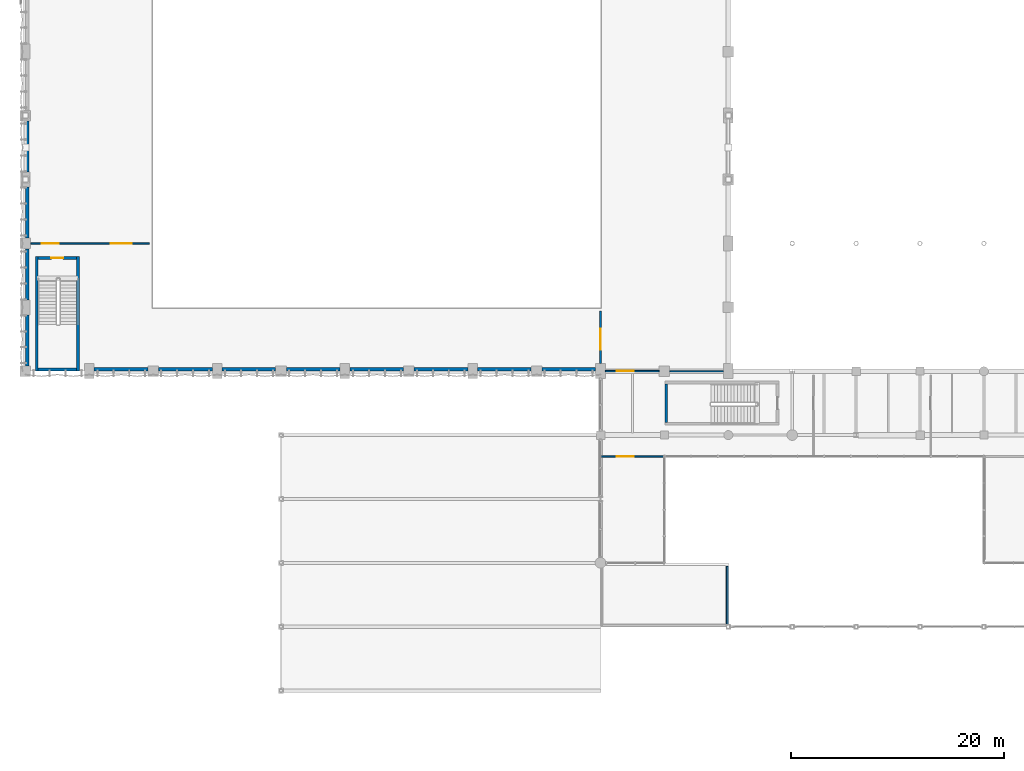
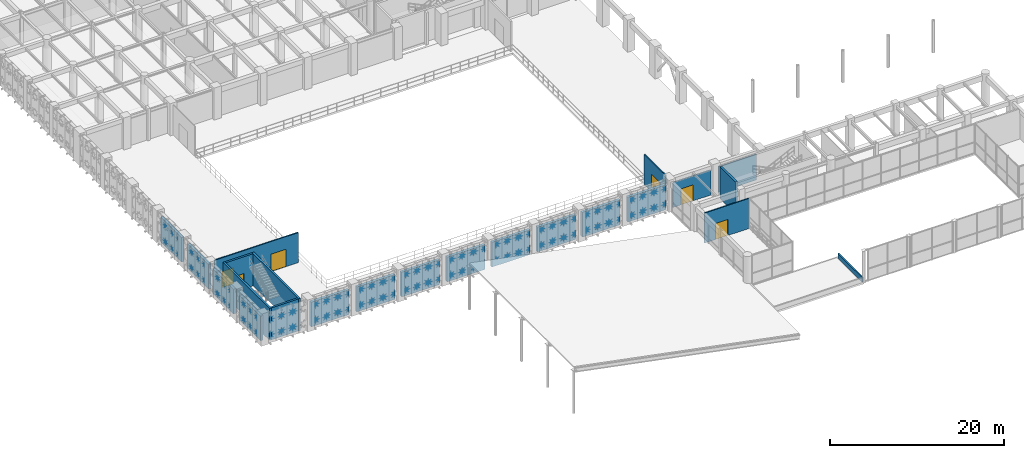
# One storey, part 97 of 133: 23 walls, 6 doors, 6 openings.
"""IFC4 building model written with IfcOpenShell, lengths in metres."""

from ifc_helpers import new_model, si_unit, direction, frame, frame_2d, origin, place, context, subcontext, project, spatial, rectangle, extrude, material, layer, layer_set, type_object, element, fill, save


model = new_model("IFC4")

# Units and contexts
model_context = context("Model", 3, precision=1e-05, world=origin(), true_north=direction((0.0, 1.0)))
body_context = subcontext(model_context, "Body", "Model", "MODEL_VIEW")
ifc_project = project(units=[si_unit("LENGTHUNIT", "METRE"), si_unit("AREAUNIT", "SQUARE_METRE"), si_unit("VOLUMEUNIT", "CUBIC_METRE"), si_unit("PLANEANGLEUNIT", "RADIAN"), si_unit("MASSUNIT", "GRAM", prefix="KILO"), si_unit("THERMODYNAMICTEMPERATUREUNIT", "KELVIN"), si_unit("POWERUNIT", "WATT")], contexts=[model_context])

# Site, building, storey
site_placement = place(None, origin())
site = spatial("IfcSite", under=ifc_project, at=site_placement, CompositionType="ELEMENT")
building_placement = place(site_placement, origin())
building = spatial("IfcBuilding", under=site, at=building_placement, Name="Phaisarnlok Congress Hotel", CompositionType="ELEMENT")
storey_placement = place(building_placement, frame((0.0, 0.0, 6.0)))
storey = spatial("IfcBuildingStorey", under=building, at=storey_placement, Name="L01", CompositionType="ELEMENT", Elevation=6.0)

# Walls
ifc_material_1 = material(Name="Concrete C40/50", Category="concrete")
ifc_layer_1 = layer(ifc_material_1, 0.360107421875, Name="Concrete C40/50")
ifc_layer_set_1 = layer_set([ifc_layer_1], Name="Concrete C40/50")
wall_type_1 = type_object("IfcWallType", Name="WL-EXT-360", PredefinedType="SOLIDWALL", material=ifc_layer_set_1)
for number, where, z_axis, x_axis, name in (
    (1, (0.179931640625, 65.4951171875, 0.0), (0.0, 0.0, 1.0), (0.0, -1.0, 0.0), "Exterior wall EW-01 (L01)"),
    (2, (0.179931640625, 59.294921875, 0.0), (0.0, 0.0, 1.0), (0.0, -1.0, 0.0), "Exterior wall EW-01 (L01)"),
    (3, (0.179931640625, 53.4951171875, 0.0), (0.0, 0.0, 1.0), (0.0, -1.0, 0.0), "Exterior wall EW-01 (L01)"),
    (4, (0.179931640625, 47.294921875, 0.0), (0.0, 0.0, 1.0), (0.0, -1.0, 0.0), "Exterior wall EW-01 (L01)"),
):
    element("IfcWall", number, at=place(storey_placement, frame(where, z_axis=z_axis, x_axis=x_axis)), inside=storey, type_object=wall_type_1, Name=name, PredefinedType="SOLIDWALL", context=body_context, shape_type="SweptSolid", body=[
        extrude(rectangle(XDim=4.7900390625, YDim=0.360107421875, at=frame_2d((2.39501953125, 0.0))), origin(), (0.0, 0.0, 1.0), 3.469970703125),
    ])
for number, where, z_axis, x_axis, name in (
    (5, (6.455078125, 42.179931640625, 0.0), (0.0, 0.0, 1.0), (1.0, 0.0, 0.0), "Exterior wall EW-01 (L01)"),
    (6, (12.5048828125, 42.179931640625, 0.0), (0.0, 0.0, 1.0), (1.0, 0.0, 0.0), "Exterior wall EW-01 (L01)"),
    (7, (18.455078125, 42.179931640625, 0.0), (0.0, 0.0, 1.0), (1.0, 0.0, 0.0), "Exterior wall EW-01 (L01)"),
    (8, (24.5048828125, 42.179931640625, 0.0), (0.0, 0.0, 1.0), (1.0, 0.0, 0.0), "Exterior wall EW-01 (L01)"),
    (9, (30.455078125, 42.179931640625, 0.0), (0.0, 0.0, 1.0), (1.0, 0.0, 0.0), "Exterior wall EW-01 (L01)"),
    (10, (36.5048828125, 42.179931640625, 0.0), (0.0, 0.0, 1.0), (1.0, 0.0, 0.0), "Exterior wall EW-01 (L01)"),
    (11, (42.455078125, 42.179931640625, 0.0), (0.0, 0.0, 1.0), (1.0, 0.0, 0.0), "Exterior wall EW-01 (L01)"),
    (12, (48.5048828125, 42.179931640625, 0.0), (0.0, 0.0, 1.0), (1.0, 0.0, 0.0), "Exterior wall EW-01 (L01)"),
):
    element("IfcWall", number, at=place(storey_placement, frame(where, z_axis=z_axis, x_axis=x_axis)), inside=storey, type_object=wall_type_1, Name=name, PredefinedType="SOLIDWALL", context=body_context, shape_type="SweptSolid", body=[
        extrude(rectangle(XDim=5.0400390625, YDim=0.360107421875, at=frame_2d((2.52001953125, 0.0))), origin(), (0.0, 0.0, 1.0), 3.469970703125),
    ])
ifc_material_2 = material(Name="Lightweight Metal-Stud Gypsum Partition", Category="gypsum")
ifc_layer_2 = layer(ifc_material_2, 0.1201171875, Name="Lightweight Metal-Stud Gypsum Partition")
ifc_layer_set_2 = layer_set([ifc_layer_2], Name="Lightweight Metal-Stud Gypsum Partition")
wall_type_2 = type_object("IfcWallType", Name="WL-INT-120", PredefinedType="PARTITIONING", material=ifc_layer_set_2)
wall_1_placement = place(storey_placement, frame((60.5048828125, 42.0, 0.0), z_axis=(0.0, 0.0, 1.0), x_axis=(1.0, 0.0, 0.0)))
element("IfcWall", 13, at=wall_1_placement, inside=storey, type_object=wall_type_2, Name="Interior partition wall IW-07 (L01)", PredefinedType="PARTITIONING", context=body_context, shape_type="SweptSolid", body=[
    extrude(rectangle(XDim=5.0400390625, YDim=0.1201171875, at=frame_2d((2.52001953125, 0.0))), origin(), (0.0, 0.0, 1.0), 3.6201171875),
])

# Wall, opening, door
ifc_material_3 = material(Name="Moisture-Resistant Gypsum Partition", Category="gypsum")
ifc_layer_3 = layer(ifc_material_3, 0.135009765625, Name="Moisture-Resistant Gypsum Partition")
ifc_layer_set_3 = layer_set([ifc_layer_3], Name="Moisture-Resistant Gypsum Partition")
wall_type_3 = type_object("IfcWallType", Name="WL-INT-135", PredefinedType="PARTITIONING", material=ifc_layer_set_3)
wall_2_placement = place(storey_placement, frame((54.455078125, 42.0, 0.0), z_axis=(0.0, 0.0, 1.0), x_axis=(1.0, 0.0, 0.0)))
wall_2 = element("IfcWall", 14, at=wall_2_placement, inside=storey, type_object=wall_type_3, Name="Interior partition wall IW-06 (L01)", PredefinedType="PARTITIONING", context=body_context, shape_type="SweptSolid", body=[
    extrude(rectangle(XDim=5.0400390625, YDim=0.135009765625, at=frame_2d((2.52001953125, 0.0))), origin(), (0.0, 0.0, 1.0), 3.52001953125),
])
opening_1_placement = place(wall_2_placement, frame((1.06494140625, 0.0, 0.0)))
opening_1 = element("IfcOpeningElement", 15, at=opening_1_placement, cuts=wall_2, Name="Opening D-0078", PredefinedType="OPENING", context=body_context, shape_type="SweptSolid", body=[
    extrude(rectangle(XDim=1.60009765625, YDim=2.25, at=frame_2d((0.800048828125, 1.125))), frame((0.0, 0.07763671875, 0.0), z_axis=(0.0, -1.0, 0.0), x_axis=(1.0, 0.0, 0.0)), (0.0, 0.0, 1.0), 0.155029296875),
])
ifc_material_4 = material(Name="Frameless Tempered Acoustic Glass", Category="glass")
door_type_1 = type_object("IfcDoorType", Name="DR-GLZ-1600", OperationType="DOUBLE_DOOR_SINGLE_SWING", PredefinedType="DOOR", material=ifc_material_4)
door_1_placement = place(opening_1_placement, origin())
door_1 = element("IfcDoor", 16, at=door_1_placement, inside=storey, type_object=door_type_1, Name="Interior door D-0078 (L01)", OperationType="DOUBLE_DOOR_SINGLE_SWING", OverallHeight=2.25, OverallWidth=1.60009765625, PredefinedType="DOOR", context=body_context, shape_type="SweptSolid", body=[
    extrude(rectangle(XDim=1.60009765625, YDim=2.25, at=frame_2d((0.800048828125, 1.125))), frame((0.0, 0.02490234375, 0.0), z_axis=(0.0, -1.0, 0.0), x_axis=(1.0, 0.0, 0.0)), (0.0, 0.0, 1.0), 0.050048828125),
])
fill(opening_1, door_1)

ifc_material_5 = material(Name="Acoustic Gypsum Board & Mineral Wool", Category="gypsum")
ifc_layer_4 = layer(ifc_material_5, 0.14990234375, Name="Acoustic Gypsum Board & Mineral Wool")
ifc_layer_set_4 = layer_set([ifc_layer_4], Name="Acoustic Gypsum Board & Mineral Wool")
wall_type_4 = type_object("IfcWallType", Name="WL-INT-150", PredefinedType="PARTITIONING", material=ifc_layer_set_4)
wall_3_placement = place(storey_placement, frame((54.0, 42.705078125, 0.0), z_axis=(0.0, 0.0, 1.0), x_axis=(0.0, 1.0, 0.0)))
wall_3 = element("IfcWall", 17, at=wall_3_placement, inside=storey, type_object=wall_type_4, Name="Interior partition wall IW-05 (L01)", PredefinedType="PARTITIONING", context=body_context, shape_type="SweptSolid", body=[
    extrude(rectangle(XDim=4.9248046875, YDim=0.14990234375, at=frame_2d((2.46240234375, 0.0))), origin(), (0.0, 0.0, 1.0), 4.219970703125),
])
opening_2_placement = place(wall_3_placement, frame((1.294921875, 0.0, 0.0)))
opening_2 = element("IfcOpeningElement", 18, at=opening_2_placement, cuts=wall_3, Name="Opening D-0056", PredefinedType="OPENING", context=body_context, shape_type="SweptSolid", body=[
    extrude(rectangle(XDim=2.0, YDim=2.449951171875, at=frame_2d((1.0, 1.22509765625))), frame((0.0, 0.0849609375, 0.0), z_axis=(0.0, -1.0, 0.0), x_axis=(1.0, 0.0, 0.0)), (0.0, 0.0, 1.0), 0.169921875),
])
ifc_material_6 = material(Name="Acoustic Double-Seal Congress Door", Category="wood")
door_type_2 = type_object("IfcDoorType", Name="DR-HALL-2000", OperationType="DOUBLE_DOOR_SINGLE_SWING", PredefinedType="DOOR", material=ifc_material_6)
door_2_placement = place(opening_2_placement, origin())
door_2 = element("IfcDoor", 19, at=door_2_placement, inside=storey, type_object=door_type_2, Name="Interior door D-0056 (L01)", OperationType="DOUBLE_DOOR_SINGLE_SWING", OverallHeight=2.449951171875, OverallWidth=2.0, PredefinedType="DOOR", context=body_context, shape_type="SweptSolid", body=[
    extrude(rectangle(XDim=2.0, YDim=2.449951171875, at=frame_2d((1.0, 1.22509765625))), frame((0.0, 0.02490234375, 0.0), z_axis=(0.0, -1.0, 0.0), x_axis=(1.0, 0.0, 0.0)), (0.0, 0.0, 1.0), 0.050048828125),
])
fill(opening_2, door_2)

wall_4_placement = place(storey_placement, frame((54.044921875, 34.0, 0.0), z_axis=(0.0, 0.0, 1.0), x_axis=(1.0, 0.0, 0.0)))
wall_4 = element("IfcWall", 20, at=wall_4_placement, inside=storey, type_object=wall_type_4, Name="Interior partition wall IW-05 (L01)", PredefinedType="PARTITIONING", context=body_context, shape_type="SweptSolid", body=[
    extrude(rectangle(XDim=5.91015625, YDim=0.14990234375, at=frame_2d((2.955078125, 0.0))), origin(), (0.0, 0.0, 1.0), 4.219970703125),
])
opening_3_placement = place(wall_4_placement, frame((1.47509765625, 0.0, 0.0)))
opening_3 = element("IfcOpeningElement", 21, at=opening_3_placement, cuts=wall_4, Name="Opening D-0081", PredefinedType="OPENING", context=body_context, shape_type="SweptSolid", body=[
    extrude(rectangle(XDim=1.60009765625, YDim=2.25, at=frame_2d((0.800048828125, 1.125))), frame((0.0, 0.0849609375, 0.0), z_axis=(0.0, -1.0, 0.0), x_axis=(1.0, 0.0, 0.0)), (0.0, 0.0, 1.0), 0.169921875),
])
door_3_placement = place(opening_3_placement, origin())
door_3 = element("IfcDoor", 22, at=door_3_placement, inside=storey, type_object=door_type_1, Name="Interior door D-0081 (L01)", OperationType="DOUBLE_DOOR_SINGLE_SWING", OverallHeight=2.25, OverallWidth=1.60009765625, PredefinedType="DOOR", context=body_context, shape_type="SweptSolid", body=[
    extrude(rectangle(XDim=1.60009765625, YDim=2.25, at=frame_2d((0.800048828125, 1.125))), frame((0.0, 0.02490234375, 0.0), z_axis=(0.0, -1.0, 0.0), x_axis=(1.0, 0.0, 0.0)), (0.0, 0.0, 1.0), 0.050048828125),
])
fill(opening_3, door_3)

# Wall, openings, doors
wall_5_placement = place(storey_placement, frame((0.5048828125, 54.0, 0.0), z_axis=(0.0, 0.0, 1.0), x_axis=(1.0, 0.0, 0.0)))
wall_5 = element("IfcWall", 23, at=wall_5_placement, inside=storey, type_object=wall_type_4, Name="Interior partition wall IW-05 (L01)", PredefinedType="PARTITIONING", context=body_context, shape_type="SweptSolid", body=[
    extrude(rectangle(XDim=11.125, YDim=0.14990234375, at=frame_2d((5.5625, 0.0))), origin(), (0.0, 0.0, 1.0), 4.219970703125),
])
opening_4_placement = place(wall_5_placement, frame((7.4951171875, 0.0, 0.0)))
opening_4 = element("IfcOpeningElement", 24, at=opening_4_placement, cuts=wall_5, Name="Opening D-0055", PredefinedType="OPENING", context=body_context, shape_type="SweptSolid", body=[
    extrude(rectangle(XDim=2.0, YDim=2.449951171875, at=frame_2d((1.0, 1.22509765625))), frame((0.0, 0.0849609375, 0.0), z_axis=(0.0, -1.0, 0.0), x_axis=(1.0, 0.0, 0.0)), (0.0, 0.0, 1.0), 0.169921875),
])
opening_5_placement = place(wall_5_placement, frame((1.014892578125, 0.0, 0.0)))
opening_5 = element("IfcOpeningElement", 25, at=opening_5_placement, cuts=wall_5, Name="Opening D-0077", PredefinedType="OPENING", context=body_context, shape_type="SweptSolid", body=[
    extrude(rectangle(XDim=1.60009765625, YDim=2.25, at=frame_2d((0.800048828125, 1.125))), frame((0.0, 0.0849609375, 0.0), z_axis=(0.0, -1.0, 0.0), x_axis=(1.0, 0.0, 0.0)), (0.0, 0.0, 1.0), 0.169921875),
])
door_4_placement = place(opening_5_placement, origin())
door_4 = element("IfcDoor", 26, at=door_4_placement, inside=storey, type_object=door_type_1, Name="Interior door D-0077 (L01)", OperationType="DOUBLE_DOOR_SINGLE_SWING", OverallHeight=2.25, OverallWidth=1.60009765625, PredefinedType="DOOR", context=body_context, shape_type="SweptSolid", body=[
    extrude(rectangle(XDim=1.60009765625, YDim=2.25, at=frame_2d((0.800048828125, 1.125))), frame((0.0, 0.02490234375, 0.0), z_axis=(0.0, -1.0, 0.0), x_axis=(1.0, 0.0, 0.0)), (0.0, 0.0, 1.0), 0.050048828125),
])
fill(opening_5, door_4)
door_5_placement = place(opening_4_placement, origin())
door_5 = element("IfcDoor", 27, at=door_5_placement, inside=storey, type_object=door_type_2, Name="Interior door D-0055 (L01)", OperationType="DOUBLE_DOOR_SINGLE_SWING", OverallHeight=2.449951171875, OverallWidth=2.0, PredefinedType="DOOR", context=body_context, shape_type="SweptSolid", body=[
    extrude(rectangle(XDim=2.0, YDim=2.449951171875, at=frame_2d((1.0, 1.22509765625))), frame((0.0, 0.02490234375, 0.0), z_axis=(0.0, -1.0, 0.0), x_axis=(1.0, 0.0, 0.0)), (0.0, 0.0, 1.0), 0.050048828125),
])
fill(opening_4, door_5)

# Walls
ifc_layer_5 = layer(ifc_material_1, 0.169921875, Name="Concrete C40/50")
ifc_layer_set_5 = layer_set([ifc_layer_5], Name="Concrete C40/50")
wall_type_5 = type_object("IfcWallType", Name="WL-PAR-170", PredefinedType="PARAPET", material=ifc_layer_set_5)
wall_6_placement = place(storey_placement, frame((65.909912109375, 18.090087890625, 0.0), z_axis=(0.0, 0.0, 1.0), x_axis=(0.0, 1.0, 0.0)))
element("IfcWall", 28, at=wall_6_placement, inside=storey, type_object=wall_type_5, Name="Podium roof parapet WP-02 (L01)", PredefinedType="PARAPET", context=body_context, shape_type="SweptSolid", body=[
    extrude(rectangle(XDim=5.60986328125, YDim=0.169921875, at=frame_2d((2.804931640625, 0.0))), origin(), (0.0, 0.0, 1.0), 0.64990234375),
])
ifc_material_7 = material(Name="Concrete C50/60", Category="concrete")
ifc_layer_6 = layer(ifc_material_7, 0.260009765625, Name="Concrete C50/60")
ifc_layer_set_6 = layer_set([ifc_layer_6], Name="Concrete C50/60")
wall_type_6 = type_object("IfcWallType", Name="WL-SHR-260", PredefinedType="SHEAR", material=ifc_layer_set_6)
wall_7_placement = place(storey_placement, frame((60.169921875, 37.199951171875, 0.0), z_axis=(0.0, 0.0, 1.0), x_axis=(0.0, 1.0, 0.0)))
element("IfcWall", 29, at=wall_7_placement, inside=storey, type_object=wall_type_6, Name="Stair shaft shear wall SW-04 (STAIR-POD-S L01)", PredefinedType="SHEAR", context=body_context, shape_type="SweptSolid", body=[
    extrude(rectangle(XDim=3.60009765625, YDim=0.260009765625, at=frame_2d((1.800048828125, 0.0))), origin(), (0.0, 0.0, 1.0), 4.5),
])
for number, where, z_axis, x_axis, name in (
    (30, (1.070068359375, 42.0400390625, 0.0), (0.0, 0.0, 1.0), (0.0, 1.0, 0.0), "Stair shaft shear wall SW-04 (STAIR-W L01)"),
    (31, (4.929931640625, 42.0400390625, 0.0), (0.0, 0.0, 1.0), (0.0, 1.0, 0.0), "Stair shaft shear wall SW-04 (STAIR-W L01)"),
):
    element("IfcWall", number, at=place(storey_placement, frame(where, z_axis=z_axis, x_axis=x_axis)), inside=storey, type_object=wall_type_6, Name=name, PredefinedType="SHEAR", context=body_context, shape_type="SweptSolid", body=[
        extrude(rectangle(XDim=10.719970703125, YDim=0.260009765625, at=frame_2d((5.35986328125, 0.0))), origin(), (0.0, 0.0, 1.0), 4.5),
    ])

# Wall, opening, door
wall_8_placement = place(storey_placement, frame((1.199951171875, 52.6298828125, 0.0), z_axis=(0.0, 0.0, 1.0), x_axis=(1.0, 0.0, 0.0)))
wall_8 = element("IfcWall", 32, at=wall_8_placement, inside=storey, type_object=wall_type_6, Name="Stair shaft shear wall SW-04 (STAIR-W L01)", PredefinedType="SHEAR", context=body_context, shape_type="SweptSolid", body=[
    extrude(rectangle(XDim=3.60009765625, YDim=0.260009765625, at=frame_2d((1.800048828125, 0.0))), origin(), (0.0, 0.0, 1.0), 4.5),
])
opening_6_placement = place(wall_8_placement, frame((1.25, 0.0, 0.0)))
opening_6 = element("IfcOpeningElement", 33, at=opening_6_placement, cuts=wall_8, Name="Opening FD-166", PredefinedType="OPENING", context=body_context, shape_type="SweptSolid", body=[
    extrude(rectangle(XDim=1.10009765625, YDim=2.14990234375, at=frame_2d((0.550048828125, 1.074951171875))), frame((0.0, 0.14013671875, 0.0), z_axis=(0.0, -1.0, 0.0), x_axis=(1.0, 0.0, 0.0)), (0.0, 0.0, 1.0), 0.280029296875),
])
ifc_material_8 = material(Name="Fire-Rated Steel Frame & Timber Leaf", Category="steel")
door_type_3 = type_object("IfcDoorType", Name="DR-FD60-1100", OperationType="NOTDEFINED", PredefinedType="DOOR", material=ifc_material_8)
door_6_placement = place(opening_6_placement, origin())
door_6 = element("IfcDoor", 34, at=door_6_placement, inside=storey, type_object=door_type_3, Name="Stair enclosure fire door FD-166 (L01)", OperationType="SINGLE_SWING_LEFT", OverallHeight=2.14990234375, OverallWidth=1.10009765625, PredefinedType="DOOR", context=body_context, shape_type="SweptSolid", body=[
    extrude(rectangle(XDim=1.10009765625, YDim=2.14990234375, at=frame_2d((0.550048828125, 1.074951171875))), frame((0.0, 0.02490234375, 0.0), z_axis=(0.0, -1.0, 0.0), x_axis=(1.0, 0.0, 0.0)), (0.0, 0.0, 1.0), 0.050048828125),
])
fill(opening_6, door_6)

# Wall
ifc_layer_7 = layer(ifc_material_7, 0.260009765625, Name="Concrete C50/60")
ifc_layer_set_7 = layer_set([ifc_layer_7], Name="Concrete C50/60")
wall_type_7 = type_object("IfcWallType", Name="WL-SHR-260-EXT", PredefinedType="SHEAR", material=ifc_layer_set_7)
wall_9_placement = place(storey_placement, frame((1.199951171875, 42.169921875, 0.0), z_axis=(0.0, 0.0, 1.0), x_axis=(1.0, 0.0, 0.0)))
element("IfcWall", 35, at=wall_9_placement, inside=storey, type_object=wall_type_7, Name="Stair shaft shear wall SW-04E (STAIR-W L01)", PredefinedType="SHEAR", context=body_context, shape_type="SweptSolid", body=[
    extrude(rectangle(XDim=3.60009765625, YDim=0.260009765625, at=frame_2d((1.800048828125, 0.0))), origin(), (0.0, 0.0, 1.0), 4.5),
])

save(model, "model.ifc")
